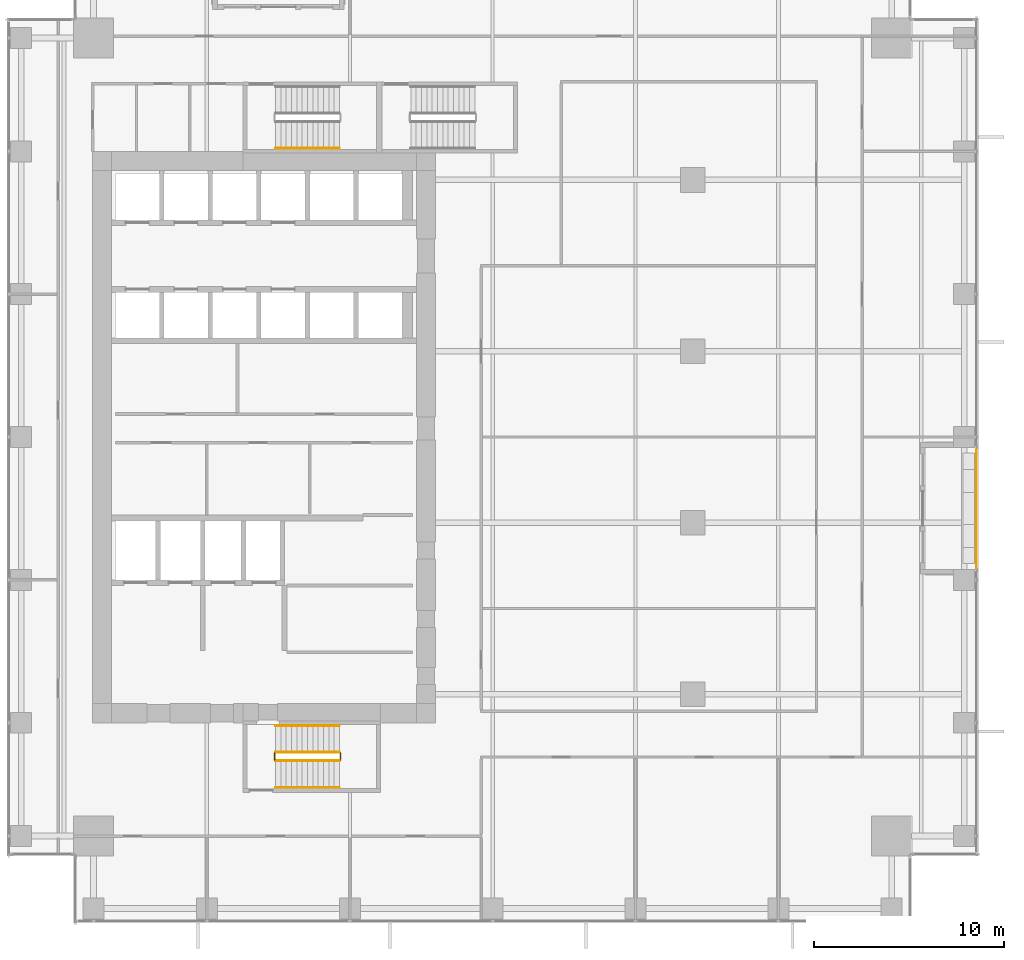
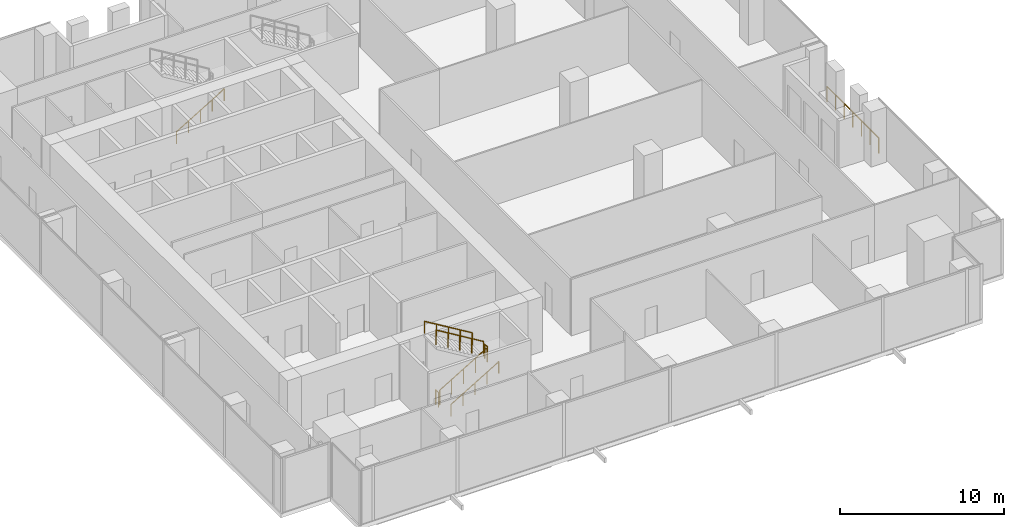
# One storey, part 32 of 34: 8 railings.
"""IFC4 building model written with IfcOpenShell, lengths in metres."""

from ifc_helpers import new_model, si_unit, direction, frame, origin, origin_2d, place, context, subcontext, project, spatial, circle, extrude, source, transform, mapped, material, type_object, element, save


model = new_model("IFC4")

# Units and contexts
model_context = context("Model", 3, precision=1e-05, world=origin(), true_north=direction((0.0, 1.0)))
body_context = subcontext(model_context, "Body", "Model", "MODEL_VIEW")
ifc_project = project(units=[si_unit("LENGTHUNIT", "METRE"), si_unit("AREAUNIT", "SQUARE_METRE"), si_unit("VOLUMEUNIT", "CUBIC_METRE"), si_unit("PLANEANGLEUNIT", "RADIAN"), si_unit("MASSUNIT", "GRAM", prefix="KILO")], contexts=[model_context])

# Site, building, storey
site_placement = place(None, origin())
site = spatial("IfcSite", under=ifc_project, at=site_placement, CompositionType="ELEMENT")
building_placement = place(site_placement, origin())
building = spatial("IfcBuilding", under=site, at=building_placement, Name="Khomas Fold Tower", CompositionType="ELEMENT")
storey_placement = place(building_placement, frame((0.0, 0.0, 110.300048828125)))
storey = spatial("IfcBuildingStorey", under=building, at=storey_placement, Name="L23", CompositionType="ELEMENT", Elevation=110.300048828125)

# Railings
ifc_material_1 = material(Name="Powder-coated steel", Category="steel")
railing_type_1 = type_object("IfcRailingType", Name="Balcony guard", PredefinedType="GUARDRAIL", material=ifc_material_1)
shared_shape_1 = source(origin(), body_context, "Body", "SweptSolid", [
    extrude(circle(Radius=0.02490234375, at=origin_2d()), frame((0.0, 0.0, 1.125), z_axis=(0.0, 1.0, 0.0), x_axis=(-1.0, 0.0, 0.0)), (0.0, 0.0, 1.0), 6.33984375),
    extrude(circle(Radius=0.02001953125, at=origin_2d()), origin(), (0.0, 0.0, 1.0), 1.099853515625),
    extrude(circle(Radius=0.02001953125, at=origin_2d()), frame((0.0, 1.056640625, 0.0)), (0.0, 0.0, 1.0), 1.099853515625),
    extrude(circle(Radius=0.02001953125, at=origin_2d()), frame((0.0, 2.11328125, 0.0)), (0.0, 0.0, 1.0), 1.099853515625),
    extrude(circle(Radius=0.02001953125, at=origin_2d()), frame((0.0, 3.169921875, 0.0)), (0.0, 0.0, 1.0), 1.099853515625),
    extrude(circle(Radius=0.02001953125, at=origin_2d()), frame((0.0, 4.2265625, 0.0)), (0.0, 0.0, 1.0), 1.099853515625),
    extrude(circle(Radius=0.02001953125, at=origin_2d()), frame((0.0, 5.283203125, 0.0)), (0.0, 0.0, 1.0), 1.099853515625),
    extrude(circle(Radius=0.02001953125, at=origin_2d()), frame((0.0, 6.33984375, 0.0)), (0.0, 0.0, 1.0), 1.099853515625),
])
railing_1_placement = place(storey_placement, frame((52.39990234375, 20.080078125, -0.045166015625)))
element("IfcRailing", 1, at=railing_1_placement, inside=storey, type_object=railing_type_1, Name="Balcony guard BAL-L23-E2", PredefinedType="GUARDRAIL", context=body_context, shape_type="MappedRepresentation", body=[
    mapped(shared_shape_1, transform((0.0, 0.0, 0.0))),
])
ifc_material_2 = material(Name="Steel balustrade", Category="steel")
railing_type_2 = type_object("IfcRailingType", Name="Stair guard", PredefinedType="GUARDRAIL", material=ifc_material_2)
shared_shape_2 = source(origin(), body_context, "Body", "SweptSolid", [
    extrude(circle(Radius=0.02392578125, at=origin_2d()), frame((0.0, 0.0, 1.076171875), z_axis=(0.0, 1.0, 0.0), x_axis=(-1.0, 0.0, 0.0)), (0.0, 0.0, 1.0), 0.349853515625),
    extrude(circle(Radius=0.02099609375, at=origin_2d()), origin(), (0.0, 0.0, 1.0), 1.052001953125),
    extrude(circle(Radius=0.02099609375, at=origin_2d()), frame((0.0, 0.349853515625, 0.0)), (0.0, 0.0, 1.0), 1.052001953125),
])
for number, where, name in (
    (2, (19.010009765625, 10.050048828125, 2.199951171875), "L23 ST2 stair guard 2"),
    (3, (15.550048828125, 10.050048828125, 0.0), "L23 ST2 stair guard 4"),
):
    element("IfcRailing", number, at=place(storey_placement, frame(where)), inside=storey, type_object=railing_type_2, Name=name, PredefinedType="GUARDRAIL", context=body_context, shape_type="MappedRepresentation", body=[
        mapped(shared_shape_2, transform((0.0, 0.0, 0.0))),
    ])
shared_shape_3 = source(origin(), body_context, "Body", "SweptSolid", [
    extrude(circle(Radius=0.02392578125, at=origin_2d()), frame((0.0, 0.0, 1.076171875), z_axis=(0.855820338506, 0.0, 0.51727318527), x_axis=(0.0, 1.0, 0.0)), (0.0, 0.0, 1.0), 3.92578125),
    extrude(circle(Radius=0.02099609375, at=origin_2d()), origin(), (0.0, 0.0, 1.0), 1.052001953125),
    extrude(circle(Radius=0.02099609375, at=origin_2d()), frame((0.83984375, 0.0, 0.5078125)), (0.0, 0.0, 1.0), 1.052001953125),
    extrude(circle(Radius=0.02099609375, at=origin_2d()), frame((1.679931640625, 0.0, 1.015380859375)), (0.0, 0.0, 1.0), 1.052001953125),
    extrude(circle(Radius=0.02099609375, at=origin_2d()), frame((2.52001953125, 0.0, 1.52294921875)), (0.0, 0.0, 1.0), 1.052001953125),
    extrude(circle(Radius=0.02099609375, at=origin_2d()), frame((3.35986328125, 0.0, 2.03076171875)), (0.0, 0.0, 1.0), 1.052001953125),
])
railing_2_placement = place(storey_placement, frame((15.60009765625, 10.0, 0.169189453125)))
element("IfcRailing", 4, at=railing_2_placement, inside=storey, type_object=railing_type_2, Name="L23 ST2 stair guard 1", PredefinedType="GUARDRAIL", context=body_context, shape_type="MappedRepresentation", body=[
    mapped(shared_shape_3, transform((0.0, 0.0, 0.0))),
])
shared_shape_4 = source(origin(), body_context, "Body", "SweptSolid", [
    extrude(circle(Radius=0.02392578125, at=origin_2d()), frame((0.0, 0.0, 1.076171875), z_axis=(-0.855820338506, 0.0, 0.51727318527), x_axis=(0.0, -1.0, 0.0)), (0.0, 0.0, 1.0), 3.92578125),
    extrude(circle(Radius=0.02099609375, at=origin_2d()), origin(), (0.0, 0.0, 1.0), 1.052001953125),
    extrude(circle(Radius=0.02099609375, at=origin_2d()), frame((-0.83984375, 0.0, 0.5078125)), (0.0, 0.0, 1.0), 1.052001953125),
    extrude(circle(Radius=0.02099609375, at=origin_2d()), frame((-1.679931640625, 0.0, 1.015380859375)), (0.0, 0.0, 1.0), 1.052001953125),
    extrude(circle(Radius=0.02099609375, at=origin_2d()), frame((-2.52001953125, 0.0, 1.52294921875)), (0.0, 0.0, 1.0), 1.052001953125),
    extrude(circle(Radius=0.02099609375, at=origin_2d()), frame((-3.35986328125, 0.0, 2.03076171875)), (0.0, 0.0, 1.0), 1.052001953125),
])
railing_3_placement = place(storey_placement, frame((18.9599609375, 10.449951171875, 2.369140625)))
element("IfcRailing", 5, at=railing_3_placement, inside=storey, type_object=railing_type_2, Name="L23 ST2 stair guard 3", PredefinedType="GUARDRAIL", context=body_context, shape_type="MappedRepresentation", body=[
    mapped(shared_shape_4, transform((0.0, 0.0, 0.0))),
])
ifc_material_3 = material(Name="Steel handrail", Category="steel")
railing_type_3 = type_object("IfcRailingType", Name="Stair handrail", PredefinedType="HANDRAIL", material=ifc_material_3)
shared_shape_5 = source(origin(), body_context, "Body", "SweptSolid", [
    extrude(circle(Radius=0.02392578125, at=origin_2d()), frame((0.0, 0.0, 0.8759765625), z_axis=(0.855820338506, 0.0, 0.51727318527), x_axis=(0.0, 1.0, 0.0)), (0.0, 0.0, 1.0), 3.92578125),
    extrude(circle(Radius=0.02099609375, at=origin_2d()), origin(), (0.0, 0.0, 1.0), 0.851806640625),
    extrude(circle(Radius=0.02099609375, at=origin_2d()), frame((0.83984375, 0.0, 0.5078125)), (0.0, 0.0, 1.0), 0.851806640625),
    extrude(circle(Radius=0.02099609375, at=origin_2d()), frame((1.679931640625, 0.0, 1.015380859375)), (0.0, 0.0, 1.0), 0.851806640625),
    extrude(circle(Radius=0.02099609375, at=origin_2d()), frame((2.52001953125, 0.0, 1.52294921875)), (0.0, 0.0, 1.0), 0.851806640625),
    extrude(circle(Radius=0.02099609375, at=origin_2d()), frame((3.35986328125, 0.0, 2.03076171875)), (0.0, 0.0, 1.0), 0.851806640625),
])
for number, where, name in (
    (6, (15.60009765625, 42.14990234375, 0.169189453125), "L23 ST1 stair handrail 1"),
    (7, (15.60009765625, 8.60009765625, 0.169189453125), "L23 ST2 stair handrail 1"),
):
    element("IfcRailing", number, at=place(storey_placement, frame(where)), inside=storey, type_object=railing_type_3, Name=name, PredefinedType="HANDRAIL", context=body_context, shape_type="MappedRepresentation", body=[
        mapped(shared_shape_5, transform((0.0, 0.0, 0.0))),
    ])
shared_shape_6 = source(origin(), body_context, "Body", "SweptSolid", [
    extrude(circle(Radius=0.02392578125, at=origin_2d()), frame((0.0, 0.0, 0.8759765625), z_axis=(-0.855820338506, 0.0, 0.51727318527), x_axis=(0.0, -1.0, 0.0)), (0.0, 0.0, 1.0), 3.92578125),
    extrude(circle(Radius=0.02099609375, at=origin_2d()), origin(), (0.0, 0.0, 1.0), 0.851806640625),
    extrude(circle(Radius=0.02099609375, at=origin_2d()), frame((-0.83984375, 0.0, 0.5078125)), (0.0, 0.0, 1.0), 0.851806640625),
    extrude(circle(Radius=0.02099609375, at=origin_2d()), frame((-1.679931640625, 0.0, 1.015380859375)), (0.0, 0.0, 1.0), 0.851806640625),
    extrude(circle(Radius=0.02099609375, at=origin_2d()), frame((-2.52001953125, 0.0, 1.52294921875)), (0.0, 0.0, 1.0), 0.851806640625),
    extrude(circle(Radius=0.02099609375, at=origin_2d()), frame((-3.35986328125, 0.0, 2.03076171875)), (0.0, 0.0, 1.0), 0.851806640625),
])
railing_4_placement = place(storey_placement, frame((18.9599609375, 11.85009765625, 2.369140625)))
element("IfcRailing", 8, at=railing_4_placement, inside=storey, type_object=railing_type_3, Name="L23 ST2 stair handrail 2", PredefinedType="HANDRAIL", context=body_context, shape_type="MappedRepresentation", body=[
    mapped(shared_shape_6, transform((0.0, 0.0, 0.0))),
])

save(model, "model.ifc")
